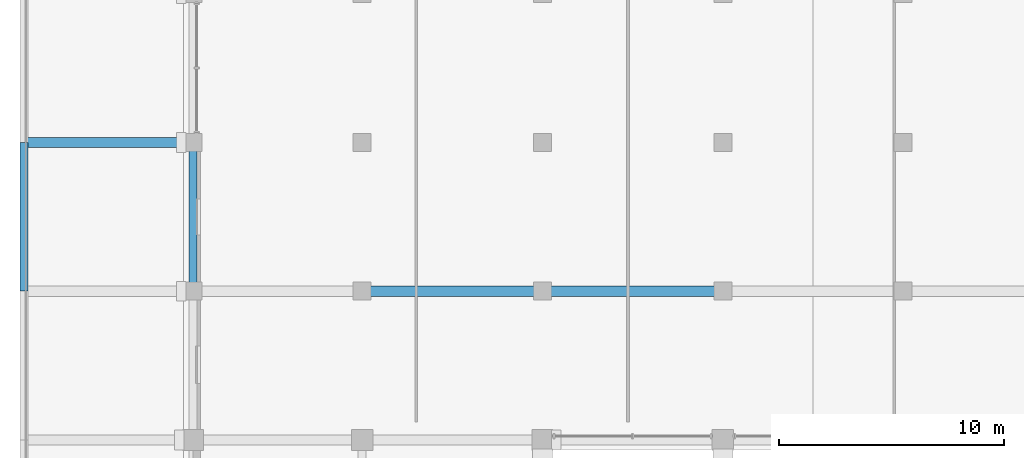
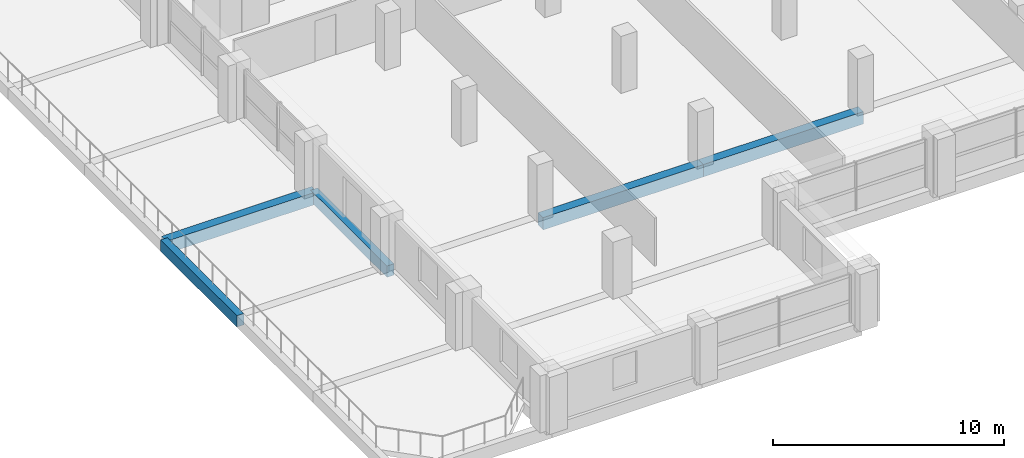
# One storey, part 5 of 22: 5 beams.
"""IFC4 building model written with IfcOpenShell, lengths in metres."""

from ifc_helpers import new_model, si_unit, direction, frame, origin, origin_2d, place, context, subcontext, project, spatial, rectangle, extrude, material, material_profile, profile_set, type_object, element, save


model = new_model("IFC4")

# Units and contexts
model_context = context("Model", 3, precision=1e-05, world=origin(), true_north=direction((0.0, 1.0)))
body_context = subcontext(model_context, "Body", "Model", "MODEL_VIEW")
ifc_project = project(units=[si_unit("LENGTHUNIT", "METRE"), si_unit("AREAUNIT", "SQUARE_METRE"), si_unit("VOLUMEUNIT", "CUBIC_METRE"), si_unit("PLANEANGLEUNIT", "RADIAN"), si_unit("MASSUNIT", "GRAM", prefix="KILO")], contexts=[model_context])

# Site, building, storey
site_placement = place(None, origin())
site = spatial("IfcSite", under=ifc_project, at=site_placement, CompositionType="ELEMENT")
building_placement = place(site_placement, origin())
building = spatial("IfcBuilding", under=site, at=building_placement, Name="Akrevak Sports Hall", CompositionType="ELEMENT")
storey_placement = place(building_placement, frame((0.0, 0.0, 40.550048828125)))
storey = spatial("IfcBuildingStorey", under=building, at=storey_placement, Name="L09", CompositionType="ELEMENT", Elevation=40.550048828125)

# Beams
ifc_material = material(Name="Concrete C40/50", Category="concrete")
ifc_material_profile_1 = material_profile(ifc_material, rectangle(XDim=0.35009765625, YDim=0.60009765625, at=origin_2d()), Name="BM 350x600", Category="concrete")
ifc_profile_set_1 = profile_set([ifc_material_profile_1], Name="Concrete C40/50")
beam_type_1 = type_object("IfcBeamType", Name="STR-BM-RC350x600", PredefinedType="BEAM", material=ifc_profile_set_1)
for number, where, z_axis, x_axis, name in (
    (1, (45.0, 35.39990234375, -0.300048828125), (0.0, 1.0, 0.0), (-1.0, 0.0, 0.0), "Girder 7/F-G (L09)"),
    (2, (52.5, 35.39990234375, -0.300048828125), (0.0, 1.0, 0.0), (-1.0, 0.0, 0.0), "Girder 8/F-G (L09)"),
):
    element("IfcBeam", number, at=place(storey_placement, frame(where, z_axis=z_axis, x_axis=x_axis)), inside=storey, type_object=beam_type_1, Name=name, PredefinedType="BEAM", context=body_context, shape_type="SweptSolid", body=[
        extrude(rectangle(XDim=0.35009765625, YDim=0.60009765625, at=origin_2d()), origin(), (0.0, 0.0, 1.0), 6.60009765625),
    ])
ifc_material_profile_2 = material_profile(ifc_material, rectangle(XDim=0.449951171875, YDim=0.64990234375, at=origin_2d()), Name="BM 450x650", Category="concrete")
ifc_profile_set_2 = profile_set([ifc_material_profile_2], Name="Concrete C40/50")
beam_type_2 = type_object("IfcBeamType", Name="STR-BM-RC450x650", PredefinedType="BEAM", material=ifc_profile_set_2)
for number, where, z_axis, x_axis, name in (
    (3, (60.0, 35.39990234375, -0.324951171875), (1.0, 0.0, 0.0), (0.0, 1.0, 0.0), "Girder F/9-10 (L09)"),
    (4, (68.0, 35.39990234375, -0.324951171875), (1.0, 0.0, 0.0), (0.0, 1.0, 0.0), "Girder F/10-11 (L09)"),
):
    element("IfcBeam", number, at=place(storey_placement, frame(where, z_axis=z_axis, x_axis=x_axis)), inside=storey, type_object=beam_type_2, Name=name, PredefinedType="BEAM", context=body_context, shape_type="SweptSolid", body=[
        extrude(rectangle(XDim=0.449951171875, YDim=0.64990234375, at=origin_2d()), origin(), (0.0, 0.0, 1.0), 8.0),
    ])
beam_placement = place(storey_placement, frame((45.0, 42.0, -0.324951171875), z_axis=(1.0, 0.0, 0.0), x_axis=(0.0, 1.0, 0.0)))
element("IfcBeam", 5, at=beam_placement, inside=storey, type_object=beam_type_2, Name="Girder G/7-8 (L09)", PredefinedType="BEAM", context=body_context, shape_type="SweptSolid", body=[
    extrude(rectangle(XDim=0.449951171875, YDim=0.64990234375, at=origin_2d()), origin(), (0.0, 0.0, 1.0), 7.5),
])

save(model, "model.ifc")
